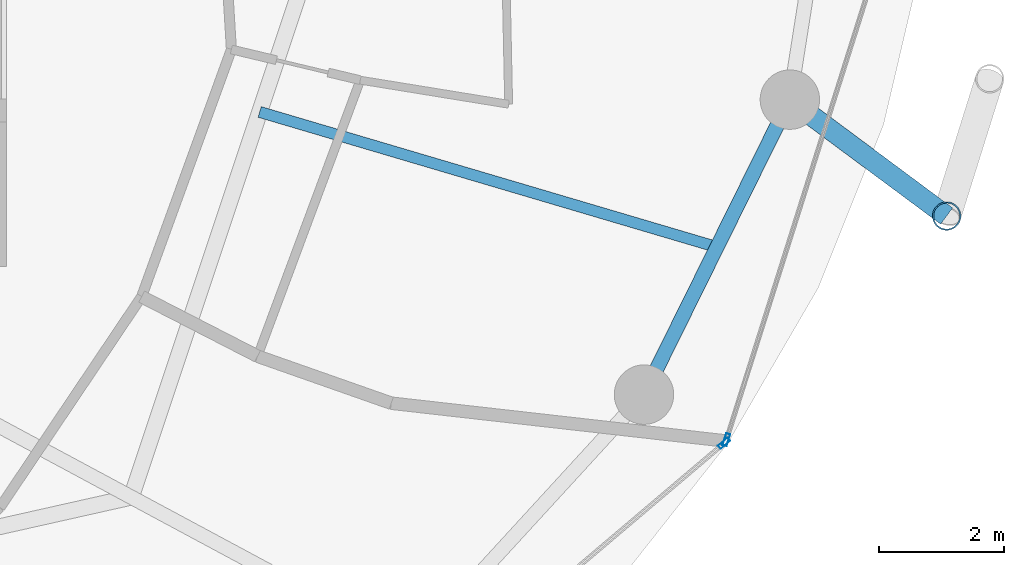
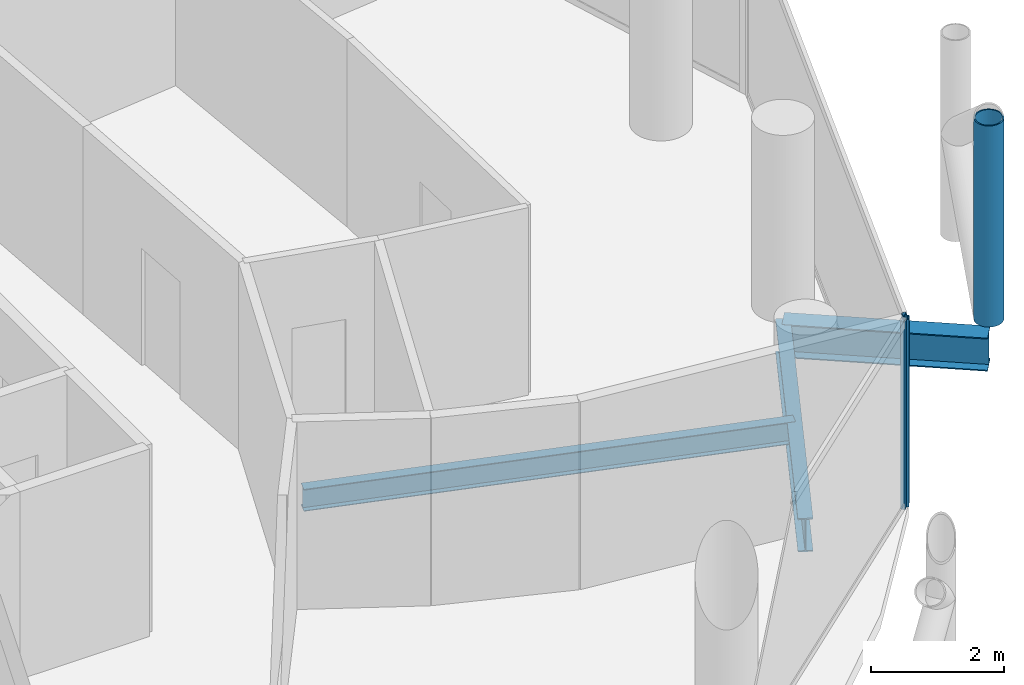
# One storey, part 10 of 26: 3 beams, 3 members, 2 elements without a shape of their own.
"""IFC4 building model written with IfcOpenShell, lengths in metres."""

from ifc_helpers import new_model, si_unit, direction, frame, origin, origin_2d, place, context, subcontext, project, spatial, hollow_rectangle, hollow_circle, i_section, extrude, material, layer, layer_set, material_profile, profile_set, type_object, element, aggregate, save


model = new_model("IFC4")

# Units and contexts
model_context = context("Model", 3, precision=1e-05, world=origin(), true_north=direction((0.0, 1.0)))
body_context = subcontext(model_context, "Body", "Model", "MODEL_VIEW")
ifc_project = project(units=[si_unit("LENGTHUNIT", "METRE"), si_unit("AREAUNIT", "SQUARE_METRE"), si_unit("VOLUMEUNIT", "CUBIC_METRE"), si_unit("PLANEANGLEUNIT", "RADIAN"), si_unit("MASSUNIT", "GRAM", prefix="KILO")], contexts=[model_context])

# Site, building, storey
site_placement = place(None, origin())
site = spatial("IfcSite", under=ifc_project, at=site_placement, CompositionType="ELEMENT")
building_placement = place(site_placement, origin())
building = spatial("IfcBuilding", under=site, at=building_placement, Name="Nuhasar Tower", CompositionType="ELEMENT")
storey_placement = place(building_placement, frame((0.0, 0.0, 136.75)))
storey = spatial("IfcBuildingStorey", under=building, at=storey_placement, Name="L32", CompositionType="ELEMENT", Elevation=136.75)

# Beams
ifc_material_1 = material(Name="Steel S355", Category="steel")
ifc_material_profile_1 = material_profile(ifc_material_1, i_section(OverallWidth=0.177978515625, OverallDepth=0.406005859375, WebThickness=0.0078125, FlangeThickness=0.0126953125, at=origin_2d()), Name="W16X40")
ifc_profile_set_1 = profile_set([ifc_material_profile_1], Name="Steel S355")
beam_type_1 = type_object("IfcBeamType", Name="BM-JST-W16X40", PredefinedType="JOIST", material=ifc_profile_set_1)
beam_1_placement = place(storey_placement, frame((53.0791015625, 21.54296875, -0.452880859375), z_axis=(0.959000494697, -0.283404395116, 0.0), x_axis=(0.283404395116, 0.959000494697, 0.0)))
element("IfcBeam", 1, at=beam_1_placement, inside=storey, type_object=beam_type_1, Name="L32 Secondary Floor Joist 03", PredefinedType="JOIST", context=body_context, shape_type="SweptSolid", body=[
    extrude(i_section(OverallWidth=0.177978515625, OverallDepth=0.406005859375, WebThickness=0.0078125, FlangeThickness=0.0126953125, at=origin_2d()), origin(), (0.0, 0.0, 1.0), 7.621337890625),
])
ifc_material_profile_2 = material_profile(ifc_material_1, i_section(OverallWidth=0.22998046875, OverallDepth=0.616943359375, WebThickness=0.01318359375, FlangeThickness=0.022216796875, at=origin_2d()), Name="W24X94")
ifc_profile_set_2 = profile_set([ifc_material_profile_2], Name="Steel S355")
beam_type_2 = type_object("IfcBeamType", Name="BM-RING-W24X94", PredefinedType="SPANDREL", material=ifc_profile_set_2)
beam_2_placement = place(storey_placement, frame((59.221923828125, 17.02490234375, -0.55908203125), z_axis=(0.443329327657, 0.896358804966, 0.0), x_axis=(-0.896358804966, 0.443329327657, 0.0)))
element("IfcBeam", 2, at=beam_2_placement, inside=storey, type_object=beam_type_2, Name="L32 Perimeter Ring Spandrel 23", PredefinedType="SPANDREL", context=body_context, shape_type="SweptSolid", body=[
    extrude(i_section(OverallWidth=0.22998046875, OverallDepth=0.616943359375, WebThickness=0.01318359375, FlangeThickness=0.022216796875, at=origin_2d()), origin(), (0.0, 0.0, 1.0), 5.26025390625),
])
ifc_material_profile_3 = material_profile(ifc_material_1, i_section(OverallWidth=0.323974609375, OverallDepth=0.611083984375, WebThickness=0.0126953125, FlangeThickness=0.01904296875, at=origin_2d()), Name="W24X104")
ifc_profile_set_3 = profile_set([ifc_material_profile_3], Name="Steel S355")
beam_type_3 = type_object("IfcBeamType", Name="BM-TIE-W24X104", PredefinedType="BEAM", material=ifc_profile_set_3)
beam_3_placement = place(storey_placement, frame((61.553955078125, 21.739990234375, -0.554931640625), z_axis=(0.80283476238, -0.596201597041, 0.0), x_axis=(0.596201597041, 0.80283476238, 0.0)))
element("IfcBeam", 3, at=beam_3_placement, inside=storey, type_object=beam_type_3, Name="L32 Exoskeleton Node Tie Beam 12", PredefinedType="BEAM", context=body_context, shape_type="SweptSolid", body=[
    extrude(i_section(OverallWidth=0.323974609375, OverallDepth=0.611083984375, WebThickness=0.0126953125, FlangeThickness=0.01904296875, at=origin_2d()), origin(), (0.0, 0.0, 1.0), 3.12158203125),
])

# Curtain wall, member
ifc_material_2 = material(Name="Aluminium 6063-T6", Category="aluminium")
ifc_layer = layer(ifc_material_2, 0.199951171875)
ifc_layer_set = layer_set([ifc_layer], Name="Aluminium 6063-T6")
curtain_wall_type = type_object("IfcCurtainWallType", Name="CW-Z2-HTL", PredefinedType="NOTDEFINED", material=ifc_layer_set)
curtain_wall_1_placement = place(storey_placement, origin())
curtain_wall_1 = element("IfcCurtainWall", 4, at=curtain_wall_1_placement, inside=storey, type_object=curtain_wall_type, Name="L32 Unitised Curtain Wall 11", PredefinedType="NOTDEFINED")
ifc_material_profile_4 = material_profile(ifc_material_2, hollow_rectangle(XDim=0.070068359375, YDim=0.199951171875, WallThickness=0.0048828125, at=origin_2d()), Name="CWM-3")
ifc_profile_set_4 = profile_set([ifc_material_profile_4], Name="Aluminium 6063-T6")
member_type_1 = type_object("IfcMemberType", Name="CW-MUL-S3", PredefinedType="MULLION", material=ifc_profile_set_4)
member_1_placement = place(storey_placement, frame((60.502197265625, 16.247314453125, 0.0), z_axis=(0.0, 0.0, 1.0), x_axis=(-0.646374438324, 0.763020370292, 0.0)))
member_1 = element("IfcMember", 5, at=member_1_placement, type_object=member_type_1, Name="CW-Z2 mullion 2", PredefinedType="MULLION", context=body_context, shape_type="SweptSolid", body=[
    extrude(hollow_rectangle(XDim=0.070068359375, YDim=0.199951171875, WallThickness=0.0048828125, at=origin_2d()), origin(), (0.0, 0.0, 1.0), 3.449951171875),
])
aggregate(curtain_wall_1, [member_1])

curtain_wall_2_placement = place(storey_placement, origin())
curtain_wall_2 = element("IfcCurtainWall", 6, at=curtain_wall_2_placement, inside=storey, type_object=curtain_wall_type, Name="L32 Unitised Curtain Wall 12", PredefinedType="NOTDEFINED")
member_2_placement = place(storey_placement, frame((60.53955078125, 16.303466796875, 0.0), z_axis=(0.0, 0.0, 1.0), x_axis=(-0.953433389233, 0.301603667577, 0.0)))
member_2 = element("IfcMember", 7, at=member_2_placement, type_object=member_type_1, Name="CW-Z2 mullion 1", PredefinedType="MULLION", context=body_context, shape_type="SweptSolid", body=[
    extrude(hollow_rectangle(XDim=0.070068359375, YDim=0.199951171875, WallThickness=0.0048828125, at=origin_2d()), origin(), (0.0, 0.0, 1.0), 3.449951171875),
])
aggregate(curtain_wall_2, [member_2])

# Member
ifc_material_3 = material(Name="Steel S460", Category="steel")
ifc_material_profile_5 = material_profile(ifc_material_3, hollow_circle(Radius=0.228515625, WallThickness=0.022216796875, at=origin_2d()), Name="HSS457X22.2")
ifc_profile_set_5 = profile_set([ifc_material_profile_5], Name="Steel S460")
member_type_2 = type_object("IfcMemberType", Name="EXO-BRONZE-457", PredefinedType="BRACE", material=ifc_profile_set_5)
member_3_placement = place(storey_placement, frame((64.06005859375, 19.87890625, 0.0), z_axis=(0.0, 0.0, 1.0), x_axis=(1.0, 0.0, 0.0)))
element("IfcMember", 8, at=member_3_placement, inside=storey, type_object=member_type_2, Name="L32 Exoskeleton Chord Column EC-12A", PredefinedType="BRACE", context=body_context, shape_type="SweptSolid", body=[
    extrude(hollow_circle(Radius=0.228515625, WallThickness=0.022216796875, at=origin_2d()), origin(), (0.0, 0.0, 1.0), 3.699951171875),
])

save(model, "model.ifc")
